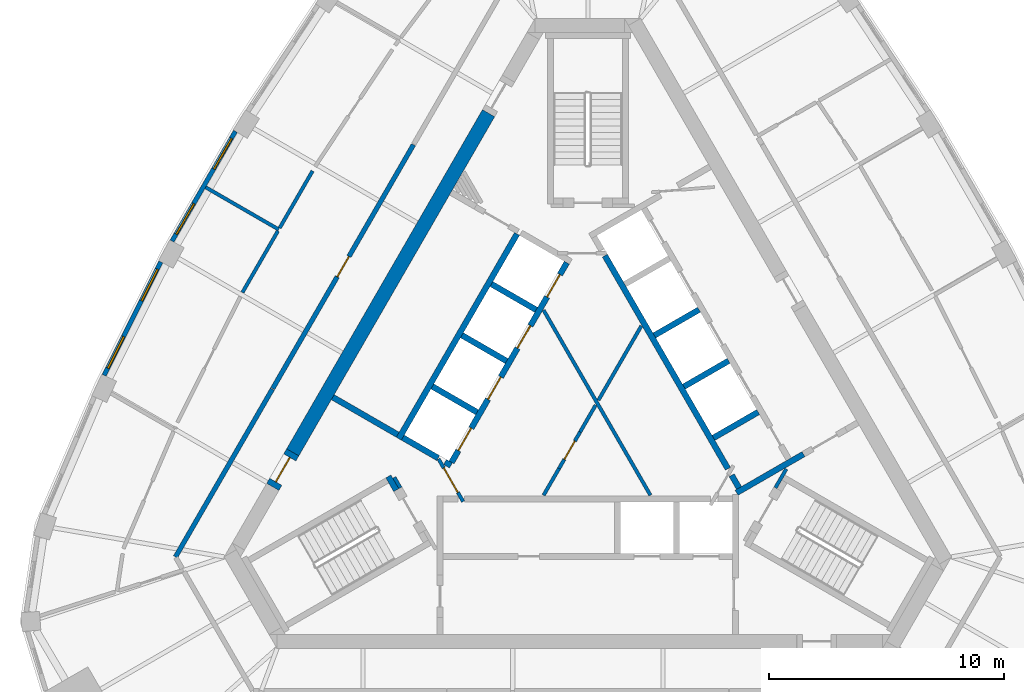
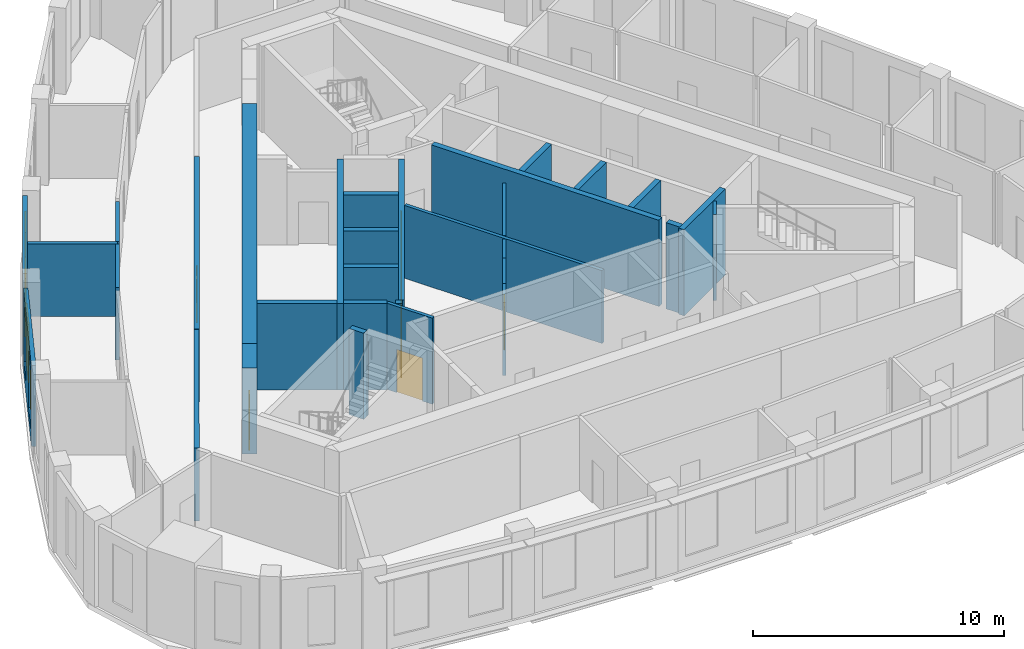
# One storey, part 5 of 10: 32 walls, 8 doors, 4 windows, 12 openings.
"""IFC4 building model written with IfcOpenShell, lengths in metres."""

from ifc_helpers import new_model, si_unit, direction, frame, frame_2d, origin, place, context, subcontext, project, spatial, rectangle, extrude, material, layer, layer_set, type_object, element, fill, save


model = new_model("IFC4")

# Units and contexts
model_context = context("Model", 3, precision=1e-05, world=origin(), true_north=direction((0.0, 1.0)))
body_context = subcontext(model_context, "Body", "Model", "MODEL_VIEW")
ifc_project = project(units=[si_unit("LENGTHUNIT", "METRE"), si_unit("AREAUNIT", "SQUARE_METRE"), si_unit("VOLUMEUNIT", "CUBIC_METRE"), si_unit("PLANEANGLEUNIT", "RADIAN"), si_unit("MASSUNIT", "GRAM", prefix="KILO")], contexts=[model_context])

# Site, building, storey
site_placement = place(None, origin())
site = spatial("IfcSite", under=ifc_project, at=site_placement, CompositionType="ELEMENT")
building_placement = place(site_placement, origin())
building = spatial("IfcBuilding", under=site, at=building_placement, Name="Mestral Congress Tower", CompositionType="ELEMENT")
storey_placement = place(building_placement, frame((0.0, 0.0, 275.39990234375)))
storey = spatial("IfcBuildingStorey", under=building, at=storey_placement, Name="L64", CompositionType="ELEMENT", Elevation=275.39990234375)

# Walls
ifc_material_1 = material(Name="Fire-rated board partition")
ifc_layer_1 = layer(ifc_material_1, 0.14990234375)
ifc_layer_set_1 = layer_set([ifc_layer_1], Name="Fire-rated board partition")
wall_type_1 = type_object("IfcWallType", Name="Core partition 150", PredefinedType="PARTITIONING", material=ifc_layer_set_1)
wall_1_placement = place(storey_placement, frame((-8.251953125, -2.958251953125, 0.0), z_axis=(0.0, 0.0, 1.0), x_axis=(0.500174715838, -0.865924508047, 0.0)))
element("IfcWall", 1, at=wall_1_placement, inside=storey, type_object=wall_type_1, Name="L64 core wall", PredefinedType="PARTITIONING", context=body_context, shape_type="SweptSolid", body=[
    extrude(rectangle(XDim=0.513916015625, YDim=0.14990234375, at=frame_2d((0.2568359375, 0.0))), origin(), (0.0, 0.0, 1.0), 3.550048828125),
])
wall_2_placement = place(storey_placement, frame((-1.886962890625, 4.168212890625, 0.0), z_axis=(0.0, 0.0, 1.0), x_axis=(0.499997069472, -0.866027095719, 0.0)))
element("IfcWall", 2, at=wall_2_placement, inside=storey, type_object=wall_type_1, Name="L64 core wall", PredefinedType="PARTITIONING", context=body_context, shape_type="SweptSolid", body=[
    extrude(rectangle(XDim=9.1064453125, YDim=0.14990234375, at=frame_2d((4.55322265625, 0.0))), origin(), (0.0, 0.0, 1.0), 3.550048828125),
])
wall_3_placement = place(storey_placement, frame((-0.329345703125, -1.0205078125, 0.0), z_axis=(0.0, 0.0, 1.0), x_axis=(0.500033191285, 0.866006239939, 0.0)))
element("IfcWall", 3, at=wall_3_placement, inside=storey, type_object=wall_type_1, Name="L64 core wall", PredefinedType="PARTITIONING", context=body_context, shape_type="SweptSolid", body=[
    extrude(rectangle(XDim=1.31494140625, YDim=0.14990234375, at=frame_2d((0.657470703125, 0.0))), origin(), (0.0, 0.0, 1.0), 3.550048828125),
])
wall_4_placement = place(storey_placement, frame((2.276611328125, 3.4931640625, 0.0), z_axis=(0.0, 0.0, 1.0), x_axis=(-0.499994550825, -0.866028549844, 0.0)))
element("IfcWall", 4, at=wall_4_placement, inside=storey, type_object=wall_type_1, Name="L64 core wall", PredefinedType="PARTITIONING", context=body_context, shape_type="SweptSolid", body=[
    extrude(rectangle(XDim=3.650390625, YDim=0.14990234375, at=frame_2d((1.8251953125, 0.0))), origin(), (0.0, 0.0, 1.0), 3.550048828125),
])
wall_5_placement = place(storey_placement, frame((-1.886962890625, -3.71826171875, 0.0), z_axis=(0.0, 0.0, 1.0), x_axis=(0.500033191285, 0.866006239939, 0.0)))
element("IfcWall", 5, at=wall_5_placement, inside=storey, type_object=wall_type_1, Name="L64 core wall", PredefinedType="PARTITIONING", context=body_context, shape_type="SweptSolid", body=[
    extrude(rectangle(XDim=1.31494140625, YDim=0.14990234375, at=frame_2d((0.657470703125, 0.0))), origin(), (0.0, 0.0, 1.0), 3.550048828125),
])

# Wall, opening, door
wall_6_placement = place(storey_placement, frame((-1.2294921875, -2.579345703125, 0.0), z_axis=(0.0, 0.0, 1.0), x_axis=(0.500062916607, 0.865989075817, 0.0)))
wall_6 = element("IfcWall", 6, at=wall_6_placement, inside=storey, type_object=wall_type_1, Name="L64 door wall", PredefinedType="PARTITIONING", context=body_context, shape_type="SweptSolid", body=[
    extrude(rectangle(XDim=1.800048828125, YDim=0.14990234375, at=frame_2d((0.89990234375, 0.0))), origin(), (0.0, 0.0, 1.0), 3.550048828125),
])
opening_1_placement = place(wall_6_placement, frame((0.449951171875, 0.0, 0.0)))
opening_1 = element("IfcOpeningElement", 7, at=opening_1_placement, cuts=wall_6, Name="Opening SD-HUB2", PredefinedType="OPENING", context=body_context, shape_type="SweptSolid", body=[
    extrude(rectangle(XDim=0.89990234375, YDim=2.10009765625, at=frame_2d((0.449951171875, 1.050048828125))), frame((0.0, 0.0849609375, 0.0), z_axis=(0.0, -1.0, 0.0), x_axis=(1.0, 0.0, 0.0)), (0.0, 0.0, 1.0), 0.169921875),
])
ifc_material_2 = material(Name="Fire-rated steel door set", Category="steel")
door_type_1 = type_object("IfcDoorType", Name="Core door SR 900x2100", OperationType="SINGLE_SWING_LEFT", PredefinedType="DOOR", material=ifc_material_2)
door_1_placement = place(opening_1_placement, origin())
door_1 = element("IfcDoor", 8, at=door_1_placement, inside=storey, type_object=door_type_1, Name="Door SD-HUB2", OperationType="SINGLE_SWING_LEFT", OverallHeight=2.10009765625, OverallWidth=0.89990234375, PredefinedType="DOOR", context=body_context, shape_type="SweptSolid", body=[
    extrude(rectangle(XDim=0.89990234375, YDim=2.10009765625, at=frame_2d((0.449951171875, 1.050048828125))), frame((0.0, 0.02490234375, 0.0), z_axis=(0.0, -1.0, 0.0), x_axis=(1.0, 0.0, 0.0)), (0.0, 0.0, 1.0), 0.050048828125),
])
fill(opening_1, door_1)

# Wall
ifc_material_3 = material(Name="Concrete C60/75", Category="concrete")
ifc_layer_2 = layer(ifc_material_3, 0.60009765625)
ifc_layer_set_2 = layer_set([ifc_layer_2], Name="Concrete C60/75")
wall_type_2 = type_object("IfcWallType", Name="Core wall RC 600", PredefinedType="SOLIDWALL", material=ifc_layer_set_2)
wall_7_placement = place(storey_placement, frame((-4.234375, 12.56591796875, 0.0), z_axis=(0.0, 0.0, 1.0), x_axis=(-0.499998841866, -0.866026072432, 0.0)))
element("IfcWall", 9, at=wall_7_placement, inside=storey, type_object=wall_type_2, Name="L64 core wall", PredefinedType="SOLIDWALL", context=body_context, shape_type="SweptSolid", body=[
    extrude(rectangle(XDim=16.6943359375, YDim=0.60009765625, at=frame_2d((8.34716796875, 0.0))), origin(), (0.0, 0.0, 1.0), 4.2001953125),
])

# Wall, opening, door
wall_8_placement = place(storey_placement, frame((-13.431640625, -3.3642578125, 0.0), z_axis=(0.0, 0.0, 1.0), x_axis=(0.500000056704, 0.866025371046, 0.0)))
wall_8 = element("IfcWall", 10, at=wall_8_placement, inside=storey, type_object=wall_type_2, Name="L64 door wall", PredefinedType="SOLIDWALL", context=body_context, shape_type="SweptSolid", body=[
    extrude(rectangle(XDim=1.7001953125, YDim=0.60009765625, at=frame_2d((0.85009765625, 0.0))), origin(), (0.0, 0.0, 1.0), 4.2001953125),
])
opening_2_placement = place(wall_8_placement, frame((0.25, 0.0, 0.0)))
opening_2 = element("IfcOpeningElement", 11, at=opening_2_placement, cuts=wall_8, Name="Opening XD3", PredefinedType="OPENING", context=body_context, shape_type="SweptSolid", body=[
    extrude(rectangle(XDim=1.199951171875, YDim=2.10009765625, at=frame_2d((0.60009765625, 1.050048828125))), frame((0.0, 0.31005859375, 0.0), z_axis=(0.0, -1.0, 0.0), x_axis=(1.0, 0.0, 0.0)), (0.0, 0.0, 1.0), 0.6201171875),
])
door_type_2 = type_object("IfcDoorType", Name="Core door XD 1200x2100", OperationType="SINGLE_SWING_LEFT", PredefinedType="DOOR", material=ifc_material_2)
door_2_placement = place(opening_2_placement, origin())
door_2 = element("IfcDoor", 12, at=door_2_placement, inside=storey, type_object=door_type_2, Name="Door XD3", OperationType="SINGLE_SWING_LEFT", OverallHeight=2.10009765625, OverallWidth=1.199951171875, PredefinedType="DOOR", context=body_context, shape_type="SweptSolid", body=[
    extrude(rectangle(XDim=1.199951171875, YDim=2.10009765625, at=frame_2d((0.60009765625, 1.050048828125))), frame((0.0, 0.02490234375, 0.0), z_axis=(0.0, -1.0, 0.0), x_axis=(1.0, 0.0, 0.0)), (0.0, 0.0, 1.0), 0.050048828125),
])
fill(opening_2, door_2)

# Wall, openings, windows
ifc_material_4 = material(Name="Precast concrete C40/50 with limestone facing", Category="masonry")
ifc_layer_3 = layer(ifc_material_4, 0.18994140625)
ifc_layer_set_3 = layer_set([ifc_layer_3], Name="Precast concrete C40/50 with limestone facing")
wall_type_3 = type_object("IfcWallType", Name="Facade stone wall 190", PredefinedType="SOLIDWALL", material=ifc_layer_set_3)
wall_9_placement = place(storey_placement, frame((-15.025146484375, 11.7958984375, 0.0), z_axis=(0.0, 0.0, 1.0), x_axis=(-0.500024767483, -0.866011103799, 0.0)))
wall_9 = element("IfcWall", 13, at=wall_9_placement, inside=storey, type_object=wall_type_3, Name="Facade wall F2-02", PredefinedType="SOLIDWALL", context=body_context, shape_type="SweptSolid", body=[
    extrude(rectangle(XDim=5.406005859375, YDim=0.18994140625, at=frame_2d((2.703125, 0.0))), origin(), (0.0, 0.0, 1.0), 3.9501953125),
])
opening_3_placement = place(wall_9_placement, frame((0.346435546875, 0.0, 0.60009765625)))
opening_3 = element("IfcOpeningElement", 14, at=opening_3_placement, cuts=wall_9, Name="Opening W6", PredefinedType="OPENING", context=body_context, shape_type="SweptSolid", body=[
    extrude(rectangle(XDim=1.5, YDim=2.85009765625, at=frame_2d((0.75, 1.425048828125))), frame((0.0, 0.10498046875, 0.0), z_axis=(0.0, -1.0, 0.0), x_axis=(1.0, 0.0, 0.0)), (0.0, 0.0, 1.0), 0.2099609375),
])
opening_4_placement = place(wall_9_placement, frame((3.559326171875, 0.0, 0.60009765625)))
opening_4 = element("IfcOpeningElement", 15, at=opening_4_placement, cuts=wall_9, Name="Opening W6", PredefinedType="OPENING", context=body_context, shape_type="SweptSolid", body=[
    extrude(rectangle(XDim=1.5, YDim=2.85009765625, at=frame_2d((0.75, 1.425048828125))), frame((0.0, 0.10498046875, 0.0), z_axis=(0.0, -1.0, 0.0), x_axis=(1.0, 0.0, 0.0)), (0.0, 0.0, 1.0), 0.2099609375),
])
ifc_material_5 = material(Name="Clear low-emissivity double glazing", Category="glass")
window_type = type_object("IfcWindowType", Name="Facade punched window 1500 x 2850 sill 600", PartitioningType="SINGLE_PANEL", PredefinedType="WINDOW", material=ifc_material_5)
window_1_placement = place(opening_3_placement, origin())
window_1 = element("IfcWindow", 16, at=window_1_placement, inside=storey, type_object=window_type, Name="Window F2-02a", OverallHeight=2.85009765625, OverallWidth=1.5, PartitioningType="SINGLE_PANEL", PredefinedType="WINDOW", context=body_context, shape_type="SweptSolid", body=[
    extrude(rectangle(XDim=1.5, YDim=2.85009765625, at=frame_2d((0.75, 1.425048828125))), frame((0.0, 0.044921875, 0.0), z_axis=(0.0, -1.0, 0.0), x_axis=(1.0, 0.0, 0.0)), (0.0, 0.0, 1.0), 0.06005859375),
])
fill(opening_3, window_1)
window_2_placement = place(opening_4_placement, origin())
window_2 = element("IfcWindow", 17, at=window_2_placement, inside=storey, type_object=window_type, Name="Window F2-02b", OverallHeight=2.85009765625, OverallWidth=1.5, PartitioningType="SINGLE_PANEL", PredefinedType="WINDOW", context=body_context, shape_type="SweptSolid", body=[
    extrude(rectangle(XDim=1.5, YDim=2.85009765625, at=frame_2d((0.75, 1.425048828125))), frame((0.0, 0.044921875, 0.0), z_axis=(0.0, -1.0, 0.0), x_axis=(1.0, 0.0, 0.0)), (0.0, 0.0, 1.0), 0.06005859375),
])
fill(opening_4, window_2)

wall_10_placement = place(storey_placement, frame((-18.205810546875, 6.226806640625, 0.0), z_axis=(0.0, 0.0, 1.0), x_axis=(-0.447484531401, -0.894291671747, 0.0)))
wall_10 = element("IfcWall", 18, at=wall_10_placement, inside=storey, type_object=wall_type_3, Name="Facade wall F2-03", PredefinedType="SOLIDWALL", context=body_context, shape_type="SweptSolid", body=[
    extrude(rectangle(XDim=5.40625, YDim=0.18994140625, at=frame_2d((2.703125, 0.0))), origin(), (0.0, 0.0, 1.0), 3.9501953125),
])
opening_5_placement = place(wall_10_placement, frame((0.346435546875, 0.0, 0.60009765625)))
opening_5 = element("IfcOpeningElement", 19, at=opening_5_placement, cuts=wall_10, Name="Opening W6", PredefinedType="OPENING", context=body_context, shape_type="SweptSolid", body=[
    extrude(rectangle(XDim=1.5, YDim=2.85009765625, at=frame_2d((0.75, 1.425048828125))), frame((0.0, 0.10498046875, 0.0), z_axis=(0.0, -1.0, 0.0), x_axis=(1.0, 0.0, 0.0)), (0.0, 0.0, 1.0), 0.2099609375),
])
opening_6_placement = place(wall_10_placement, frame((3.559326171875, 0.0, 0.60009765625)))
opening_6 = element("IfcOpeningElement", 20, at=opening_6_placement, cuts=wall_10, Name="Opening W6", PredefinedType="OPENING", context=body_context, shape_type="SweptSolid", body=[
    extrude(rectangle(XDim=1.5, YDim=2.85009765625, at=frame_2d((0.75, 1.425048828125))), frame((0.0, 0.10498046875, 0.0), z_axis=(0.0, -1.0, 0.0), x_axis=(1.0, 0.0, 0.0)), (0.0, 0.0, 1.0), 0.2099609375),
])
window_3_placement = place(opening_5_placement, origin())
window_3 = element("IfcWindow", 21, at=window_3_placement, inside=storey, type_object=window_type, Name="Window F2-03a", OverallHeight=2.85009765625, OverallWidth=1.5, PartitioningType="SINGLE_PANEL", PredefinedType="WINDOW", context=body_context, shape_type="SweptSolid", body=[
    extrude(rectangle(XDim=1.5, YDim=2.85009765625, at=frame_2d((0.75, 1.425048828125))), frame((0.0, 0.044921875, 0.0), z_axis=(0.0, -1.0, 0.0), x_axis=(1.0, 0.0, 0.0)), (0.0, 0.0, 1.0), 0.06005859375),
])
fill(opening_5, window_3)
window_4_placement = place(opening_6_placement, origin())
window_4 = element("IfcWindow", 22, at=window_4_placement, inside=storey, type_object=window_type, Name="Window F2-03b", OverallHeight=2.85009765625, OverallWidth=1.5, PartitioningType="SINGLE_PANEL", PredefinedType="WINDOW", context=body_context, shape_type="SweptSolid", body=[
    extrude(rectangle(XDim=1.5, YDim=2.85009765625, at=frame_2d((0.75, 1.425048828125))), frame((0.0, 0.044921875, 0.0), z_axis=(0.0, -1.0, 0.0), x_axis=(1.0, 0.0, 0.0)), (0.0, 0.0, 1.0), 0.06005859375),
])
fill(opening_6, window_4)

# Walls
ifc_material_6 = material(Name="Plasterboard partition on steel studs", Category="steel")
ifc_layer_4 = layer(ifc_material_6, 0.14990234375)
ifc_layer_set_4 = layer_set([ifc_layer_4], Name="Plasterboard partition on steel studs")
wall_type_4 = type_object("IfcWallType", Name="Office partition 150", PredefinedType="PARTITIONING", material=ifc_layer_set_4)
wall_11_placement = place(storey_placement, frame((-13.1767578125, 7.607666015625, 0.0), z_axis=(0.0, 0.0, 1.0), x_axis=(-0.866018442252, 0.500012057535, 0.0)))
element("IfcWall", 23, at=wall_11_placement, inside=storey, type_object=wall_type_4, Name="Partition", PredefinedType="PARTITIONING", context=body_context, shape_type="SweptSolid", body=[
    extrude(rectangle(XDim=3.60009765625, YDim=0.14990234375, at=frame_2d((1.800048828125, 0.0))), origin(), (0.0, 0.0, 1.0), 3.550048828125),
])
wall_12_placement = place(storey_placement, frame((-11.735595703125, 10.10400390625, 0.0), z_axis=(0.0, 0.0, 1.0), x_axis=(-0.500011000363, -0.866019052629, 0.0)))
element("IfcWall", 24, at=wall_12_placement, inside=storey, type_object=wall_type_4, Name="Partition", PredefinedType="PARTITIONING", context=body_context, shape_type="SweptSolid", body=[
    extrude(rectangle(XDim=2.8076171875, YDim=0.14990234375, at=frame_2d((1.40380859375, 0.0))), origin(), (0.0, 0.0, 1.0), 3.550048828125),
])
wall_13_placement = place(storey_placement, frame((-13.21435546875, 7.542724609375, 0.0), z_axis=(0.0, 0.0, 1.0), x_axis=(-0.499927597274, -0.866067201483, 0.0)))
element("IfcWall", 25, at=wall_13_placement, inside=storey, type_object=wall_type_4, Name="Partition", PredefinedType="PARTITIONING", context=body_context, shape_type="SweptSolid", body=[
    extrude(rectangle(XDim=3.02197265625, YDim=0.14990234375, at=frame_2d((1.510986328125, 0.0))), origin(), (0.0, 0.0, 1.0), 3.550048828125),
])

# Wall, opening, door
ifc_material_7 = material(Name="Dense masonry wall, plastered", Category="masonry")
ifc_layer_5 = layer(ifc_material_7, 0.199951171875)
ifc_layer_set_5 = layer_set([ifc_layer_5], Name="Dense masonry wall, plastered")
wall_type_5 = type_object("IfcWallType", Name="Office tenancy wall 200", PredefinedType="PARTITIONING", material=ifc_layer_set_5)
wall_14_placement = place(storey_placement, frame((-7.435546875, 11.22119140625, 0.0), z_axis=(0.0, 0.0, 1.0), x_axis=(-0.49999894854, -0.866026010844, 0.0)))
wall_14 = element("IfcWall", 26, at=wall_14_placement, inside=storey, type_object=wall_type_5, Name="Tenancy wall", PredefinedType="PARTITIONING", context=body_context, shape_type="SweptSolid", body=[
    extrude(rectangle(XDim=12.0, YDim=0.199951171875, at=frame_2d((6.0, 0.0))), origin(), (0.0, 0.0, 1.0), 3.550048828125),
])
opening_7_placement = place(wall_14_placement, frame((5.5, 0.0, 0.0)))
opening_7 = element("IfcOpeningElement", 27, at=opening_7_placement, cuts=wall_14, Name="Opening O11-018", PredefinedType="OPENING", context=body_context, shape_type="SweptSolid", body=[
    extrude(rectangle(XDim=1.0, YDim=2.10009765625, at=frame_2d((0.5, 1.050048828125))), frame((0.0, 0.10986328125, 0.0), z_axis=(0.0, -1.0, 0.0), x_axis=(1.0, 0.0, 0.0)), (0.0, 0.0, 1.0), 0.219970703125),
])
ifc_material_8 = material(Name="Fire-rated timber door set", Category="wood")
door_type_3 = type_object("IfcDoorType", Name="Office tenancy entrance door 1000x2100", OperationType="SINGLE_SWING_LEFT", PredefinedType="DOOR", material=ifc_material_8)
door_3_placement = place(opening_7_placement, origin())
door_3 = element("IfcDoor", 28, at=door_3_placement, inside=storey, type_object=door_type_3, Name="Door O11-018", OperationType="SINGLE_SWING_RIGHT", OverallHeight=2.10009765625, OverallWidth=1.0, PredefinedType="DOOR", context=body_context, shape_type="SweptSolid", body=[
    extrude(rectangle(XDim=1.0, YDim=2.10009765625, at=frame_2d((0.5, 1.050048828125))), frame((0.0, 0.02490234375, 0.0), z_axis=(0.0, -1.0, 0.0), x_axis=(1.0, 0.0, 0.0)), (0.0, 0.0, 1.0), 0.050048828125),
])
fill(opening_7, door_3)

# Walls
wall_15_placement = place(storey_placement, frame((-13.45068359375, 0.802978515625, 0.0), z_axis=(0.0, 0.0, 1.0), x_axis=(-0.499982585408, -0.86603545787, 0.0)))
element("IfcWall", 29, at=wall_15_placement, inside=storey, type_object=wall_type_5, Name="Tenancy wall", PredefinedType="PARTITIONING", context=body_context, shape_type="SweptSolid", body=[
    extrude(rectangle(XDim=8.259521484375, YDim=0.199951171875, at=frame_2d((4.1298828125, 0.0))), origin(), (0.0, 0.0, 1.0), 3.550048828125),
])
ifc_layer_6 = layer(ifc_material_3, 0.25)
ifc_layer_set_6 = layer_set([ifc_layer_6], Name="Concrete C60/75")
wall_type_6 = type_object("IfcWallType", Name="Shaft wall RC 250", PredefinedType="SOLIDWALL", material=ifc_layer_set_6)
wall_16_placement = place(storey_placement, frame((9.190185546875, -1.96875, 0.0), z_axis=(0.0, 0.0, 1.0), x_axis=(-0.866057109641, -0.499945079824, 0.0)))
element("IfcWall", 30, at=wall_16_placement, inside=storey, type_object=wall_type_6, Name="L64 core wall", PredefinedType="SOLIDWALL", context=body_context, shape_type="SweptSolid", body=[
    extrude(rectangle(XDim=3.290771484375, YDim=0.25, at=frame_2d((1.6455078125, 0.0))), origin(), (0.0, 0.0, 1.0), 4.2001953125),
])
wall_17_placement = place(storey_placement, frame((6.1298828125, -2.867431640625, 0.0), z_axis=(0.0, 0.0, 1.0), x_axis=(0.500160776593, -0.865932559475, 0.0)))
element("IfcWall", 31, at=wall_17_placement, inside=storey, type_object=wall_type_6, Name="L64 core wall", PredefinedType="SOLIDWALL", context=body_context, shape_type="SweptSolid", body=[
    extrude(rectangle(XDim=0.626708984375, YDim=0.25, at=frame_2d((0.3134765625, 0.0))), origin(), (0.0, 0.0, 1.0), 4.2001953125),
])
wall_18_placement = place(storey_placement, frame((5.970458984375, -2.591064453125, 0.0), z_axis=(0.0, 0.0, 1.0), x_axis=(-0.499994469932, 0.866028596547, 0.0)))
element("IfcWall", 32, at=wall_18_placement, inside=storey, type_object=wall_type_6, Name="L64 core wall", PredefinedType="SOLIDWALL", context=body_context, shape_type="SweptSolid", body=[
    extrude(rectangle(XDim=10.48828125, YDim=0.25, at=frame_2d((5.244140625, 0.0))), origin(), (0.0, 0.0, 1.0), 4.2001953125),
])
for number, where, z_axis, x_axis, name in (
    (33, (2.833984375, 3.091064453125, 0.0), (0.0, 0.0, 1.0), (0.866008176907, 0.50002983664, 0.0), "L64 core wall"),
    (34, (4.093994140625, 0.90869140625, 0.0), (0.0, 0.0, 1.0), (0.866008176907, 0.50002983664, 0.0), "L64 core wall"),
    (35, (5.35400390625, -1.273681640625, 0.0), (0.0, 0.0, 1.0), (0.866008176907, 0.50002983664, 0.0), "L64 core wall"),
):
    element("IfcWall", number, at=place(storey_placement, frame(where, z_axis=z_axis, x_axis=x_axis)), inside=storey, type_object=wall_type_6, Name=name, PredefinedType="SOLIDWALL", context=body_context, shape_type="SweptSolid", body=[
        extrude(rectangle(XDim=2.199951171875, YDim=0.25, at=frame_2d((1.10009765625, 0.0))), origin(), (0.0, 0.0, 1.0), 4.2001953125),
    ])
wall_19_placement = place(storey_placement, frame((-3.02001953125, 7.4189453125, 0.0), z_axis=(0.0, 0.0, 1.0), x_axis=(-0.500022956343, -0.866012149528, 0.0)))
element("IfcWall", 36, at=wall_19_placement, inside=storey, type_object=wall_type_6, Name="L64 core wall", PredefinedType="SOLIDWALL", context=body_context, shape_type="SweptSolid", body=[
    extrude(rectangle(XDim=10.080078125, YDim=0.25, at=frame_2d((5.0400390625, 0.0))), origin(), (0.0, 0.0, 1.0), 4.2001953125),
])
for number, where, z_axis, x_axis, name in (
    (37, (-2.2041015625, 4.182373046875, 0.0), (0.0, 0.0, 1.0), (-0.866008176907, 0.50002983664, 0.0), "L64 core wall"),
    (38, (-5.369384765625, 3.10009765625, 0.0), (0.0, 0.0, 1.0), (0.866008176907, -0.50002983664, 0.0), "L64 core wall"),
    (39, (-4.72412109375, -0.182373046875, 0.0), (0.0, 0.0, 1.0), (-0.866008176907, 0.50002983664, 0.0), "L64 core wall"),
):
    element("IfcWall", number, at=place(storey_placement, frame(where, z_axis=z_axis, x_axis=x_axis)), inside=storey, type_object=wall_type_6, Name=name, PredefinedType="SOLIDWALL", context=body_context, shape_type="SweptSolid", body=[
        extrude(rectangle(XDim=2.199951171875, YDim=0.25, at=frame_2d((1.10009765625, 0.0))), origin(), (0.0, 0.0, 1.0), 4.2001953125),
    ])
wall_20_placement = place(storey_placement, frame((-6.088134765625, -2.3046875, 0.0), z_axis=(0.0, 0.0, 1.0), x_axis=(0.866059450854, -0.499941024108, 0.0)))
element("IfcWall", 40, at=wall_20_placement, inside=storey, type_object=wall_type_6, Name="L64 core wall", PredefinedType="SOLIDWALL", context=body_context, shape_type="SweptSolid", body=[
    extrude(rectangle(XDim=0.2900390625, YDim=0.25, at=frame_2d((0.14501953125, 0.0))), origin(), (0.0, 0.0, 1.0), 4.2001953125),
])
wall_21_placement = place(storey_placement, frame((-7.889404296875, -1.2646484375, 0.0), z_axis=(0.0, 0.0, 1.0), x_axis=(0.865986741702, -0.500066958712, 0.0)))
element("IfcWall", 41, at=wall_21_placement, inside=storey, type_object=wall_type_6, Name="L64 core wall", PredefinedType="SOLIDWALL", context=body_context, shape_type="SweptSolid", body=[
    extrude(rectangle(XDim=1.738037109375, YDim=0.25, at=frame_2d((0.869140625, 0.0))), origin(), (0.0, 0.0, 1.0), 4.2001953125),
])
wall_22_placement = place(storey_placement, frame((-8.10595703125, -1.139892578125, 0.0), z_axis=(0.0, 0.0, 1.0), x_axis=(-0.866008981251, 0.500028443584, 0.0)))
element("IfcWall", 42, at=wall_22_placement, inside=storey, type_object=wall_type_6, Name="L64 core wall", PredefinedType="SOLIDWALL", context=body_context, shape_type="SweptSolid", body=[
    extrude(rectangle(XDim=3.199951171875, YDim=0.25, at=frame_2d((1.60009765625, 0.0))), origin(), (0.0, 0.0, 1.0), 4.2001953125),
])

# Wall, openings, doors
wall_23_placement = place(storey_placement, frame((-0.898193359375, 6.194091796875, 0.0), z_axis=(0.0, 0.0, 1.0), x_axis=(-0.499996202215, -0.866027596426, 0.0)))
wall_23 = element("IfcWall", 43, at=wall_23_placement, inside=storey, type_object=wall_type_6, Name="L64 door wall", PredefinedType="SOLIDWALL", context=body_context, shape_type="SweptSolid", body=[
    extrude(rectangle(XDim=9.830078125, YDim=0.25, at=frame_2d((4.9150390625, 0.0))), origin(), (0.0, 0.0, 1.0), 4.2001953125),
])
opening_8_placement = place(wall_23_placement, frame((0.5849609375, 0.0, 0.0)))
opening_8 = element("IfcOpeningElement", 44, at=opening_8_placement, cuts=wall_23, Name="Opening LD-NWB1", PredefinedType="OPENING", context=body_context, shape_type="SweptSolid", body=[
    extrude(rectangle(XDim=1.10009765625, YDim=2.10009765625, at=frame_2d((0.550048828125, 1.050048828125))), frame((0.0, 0.135009765625, 0.0), z_axis=(0.0, -1.0, 0.0), x_axis=(1.0, 0.0, 0.0)), (0.0, 0.0, 1.0), 0.27001953125),
])
opening_9_placement = place(wall_23_placement, frame((3.10498046875, 0.0, 0.0)))
opening_9 = element("IfcOpeningElement", 45, at=opening_9_placement, cuts=wall_23, Name="Opening LD-NWB2", PredefinedType="OPENING", context=body_context, shape_type="SweptSolid", body=[
    extrude(rectangle(XDim=1.10009765625, YDim=2.10009765625, at=frame_2d((0.550048828125, 1.050048828125))), frame((0.0, 0.135009765625, 0.0), z_axis=(0.0, -1.0, 0.0), x_axis=(1.0, 0.0, 0.0)), (0.0, 0.0, 1.0), 0.27001953125),
])
opening_10_placement = place(wall_23_placement, frame((5.625, 0.0, 0.0)))
opening_10 = element("IfcOpeningElement", 46, at=opening_10_placement, cuts=wall_23, Name="Opening LD-NWB3", PredefinedType="OPENING", context=body_context, shape_type="SweptSolid", body=[
    extrude(rectangle(XDim=1.10009765625, YDim=2.10009765625, at=frame_2d((0.550048828125, 1.050048828125))), frame((0.0, 0.135009765625, 0.0), z_axis=(0.0, -1.0, 0.0), x_axis=(1.0, 0.0, 0.0)), (0.0, 0.0, 1.0), 0.27001953125),
])
opening_11_placement = place(wall_23_placement, frame((8.14501953125, 0.0, 0.0)))
opening_11 = element("IfcOpeningElement", 47, at=opening_11_placement, cuts=wall_23, Name="Opening LD-NWB4", PredefinedType="OPENING", context=body_context, shape_type="SweptSolid", body=[
    extrude(rectangle(XDim=1.10009765625, YDim=2.10009765625, at=frame_2d((0.550048828125, 1.050048828125))), frame((0.0, 0.135009765625, 0.0), z_axis=(0.0, -1.0, 0.0), x_axis=(1.0, 0.0, 0.0)), (0.0, 0.0, 1.0), 0.27001953125),
])
door_type_4 = type_object("IfcDoorType", Name="Core door LD 1100x2100", OperationType="DOUBLE_DOOR_SLIDING", PredefinedType="DOOR", material=ifc_material_2)
door_4_placement = place(opening_8_placement, origin())
door_4 = element("IfcDoor", 48, at=door_4_placement, inside=storey, type_object=door_type_4, Name="Door LD-NWB1", OperationType="DOUBLE_DOOR_SLIDING", OverallHeight=2.10009765625, OverallWidth=1.10009765625, PredefinedType="DOOR", context=body_context, shape_type="SweptSolid", body=[
    extrude(rectangle(XDim=1.10009765625, YDim=2.10009765625, at=frame_2d((0.550048828125, 1.050048828125))), frame((0.0, 0.02490234375, 0.0), z_axis=(0.0, -1.0, 0.0), x_axis=(1.0, 0.0, 0.0)), (0.0, 0.0, 1.0), 0.050048828125),
])
fill(opening_8, door_4)
door_5_placement = place(opening_9_placement, origin())
door_5 = element("IfcDoor", 49, at=door_5_placement, inside=storey, type_object=door_type_4, Name="Door LD-NWB2", OperationType="DOUBLE_DOOR_SLIDING", OverallHeight=2.10009765625, OverallWidth=1.10009765625, PredefinedType="DOOR", context=body_context, shape_type="SweptSolid", body=[
    extrude(rectangle(XDim=1.10009765625, YDim=2.10009765625, at=frame_2d((0.550048828125, 1.050048828125))), frame((0.0, 0.02490234375, 0.0), z_axis=(0.0, -1.0, 0.0), x_axis=(1.0, 0.0, 0.0)), (0.0, 0.0, 1.0), 0.050048828125),
])
fill(opening_9, door_5)
door_6_placement = place(opening_10_placement, origin())
door_6 = element("IfcDoor", 50, at=door_6_placement, inside=storey, type_object=door_type_4, Name="Door LD-NWB3", OperationType="DOUBLE_DOOR_SLIDING", OverallHeight=2.10009765625, OverallWidth=1.10009765625, PredefinedType="DOOR", context=body_context, shape_type="SweptSolid", body=[
    extrude(rectangle(XDim=1.10009765625, YDim=2.10009765625, at=frame_2d((0.550048828125, 1.050048828125))), frame((0.0, 0.02490234375, 0.0), z_axis=(0.0, -1.0, 0.0), x_axis=(1.0, 0.0, 0.0)), (0.0, 0.0, 1.0), 0.050048828125),
])
fill(opening_10, door_6)
door_7_placement = place(opening_11_placement, origin())
door_7 = element("IfcDoor", 51, at=door_7_placement, inside=storey, type_object=door_type_4, Name="Door LD-NWB4", OperationType="DOUBLE_DOOR_SLIDING", OverallHeight=2.10009765625, OverallWidth=1.10009765625, PredefinedType="DOOR", context=body_context, shape_type="SweptSolid", body=[
    extrude(rectangle(XDim=1.10009765625, YDim=2.10009765625, at=frame_2d((0.550048828125, 1.050048828125))), frame((0.0, 0.02490234375, 0.0), z_axis=(0.0, -1.0, 0.0), x_axis=(1.0, 0.0, 0.0)), (0.0, 0.0, 1.0), 0.050048828125),
])
fill(opening_11, door_7)

# Wall
ifc_layer_7 = layer(ifc_material_3, 0.14990234375)
ifc_layer_set_7 = layer_set([ifc_layer_7], Name="Concrete C60/75")
wall_type_7 = type_object("IfcWallType", Name="Shaft wall RC 250 door-wall 150", PredefinedType="SOLIDWALL", material=ifc_layer_set_7)
wall_24_placement = place(storey_placement, frame((8.459228515625, -2.59912109375, 0.0), z_axis=(0.0, 0.0, 1.0), x_axis=(-0.500041054325, -0.866001699761, 0.0)))
element("IfcWall", 52, at=wall_24_placement, inside=storey, type_object=wall_type_7, Name="L64 core wall", PredefinedType="PARTITIONING", context=body_context, shape_type="SweptSolid", body=[
    extrude(rectangle(XDim=0.9287109375, YDim=0.14990234375, at=frame_2d((0.46435546875, 0.0))), origin(), (0.0, 0.0, 1.0), 4.2001953125),
])

# Wall, opening, door
wall_25_placement = place(storey_placement, frame((-5.3173828125, -3.98974609375, 0.0), z_axis=(0.0, 0.0, 1.0), x_axis=(-0.500027713859, 0.866009402589, 0.0)))
wall_25 = element("IfcWall", 53, at=wall_25_placement, inside=storey, type_object=wall_type_7, Name="L64 door wall", PredefinedType="PARTITIONING", context=body_context, shape_type="SweptSolid", body=[
    extrude(rectangle(XDim=2.10009765625, YDim=0.14990234375, at=frame_2d((1.050048828125, 0.0))), origin(), (0.0, 0.0, 1.0), 4.2001953125),
])
opening_12_placement = place(wall_25_placement, frame((0.449951171875, 0.0, 0.0)))
opening_12 = element("IfcOpeningElement", 54, at=opening_12_placement, cuts=wall_25, Name="Opening CD3-FF", PredefinedType="OPENING", context=body_context, shape_type="SweptSolid", body=[
    extrude(rectangle(XDim=1.199951171875, YDim=2.10009765625, at=frame_2d((0.60009765625, 1.050048828125))), frame((0.0, 0.0849609375, 0.0), z_axis=(0.0, -1.0, 0.0), x_axis=(1.0, 0.0, 0.0)), (0.0, 0.0, 1.0), 0.169921875),
])
door_type_5 = type_object("IfcDoorType", Name="Core door CD 1200x2100", OperationType="SINGLE_SWING_LEFT", PredefinedType="DOOR", material=ifc_material_2)
door_8_placement = place(opening_12_placement, origin())
door_8 = element("IfcDoor", 55, at=door_8_placement, inside=storey, type_object=door_type_5, Name="Door CD3-FF", OperationType="SINGLE_SWING_LEFT", OverallHeight=2.10009765625, OverallWidth=1.199951171875, PredefinedType="DOOR", context=body_context, shape_type="SweptSolid", body=[
    extrude(rectangle(XDim=1.199951171875, YDim=2.10009765625, at=frame_2d((0.60009765625, 1.050048828125))), frame((0.0, 0.02490234375, 0.0), z_axis=(0.0, -1.0, 0.0), x_axis=(1.0, 0.0, 0.0)), (0.0, 0.0, 1.0), 0.050048828125),
])
fill(opening_12, door_8)

# Wall
ifc_layer_8 = layer(ifc_material_3, 0.25)
ifc_layer_set_8 = layer_set([ifc_layer_8], Name="Concrete C60/75")
wall_type_8 = type_object("IfcWallType", Name="Stair wall RC 250", PredefinedType="SOLIDWALL", material=ifc_layer_set_8)
wall_26_placement = place(storey_placement, frame((-8.167724609375, -3.503173828125, 0.0), z_axis=(0.0, 0.0, 1.0), x_axis=(-0.499952099219, 0.866053057547, 0.0)))
element("IfcWall", 56, at=wall_26_placement, inside=storey, type_object=wall_type_8, Name="L64 core wall", PredefinedType="SOLIDWALL", context=body_context, shape_type="SweptSolid", body=[
    extrude(rectangle(XDim=0.6748046875, YDim=0.25, at=frame_2d((0.33740234375, 0.0))), origin(), (0.0, 0.0, 1.0), 4.2001953125),
])

save(model, "model.ifc")
